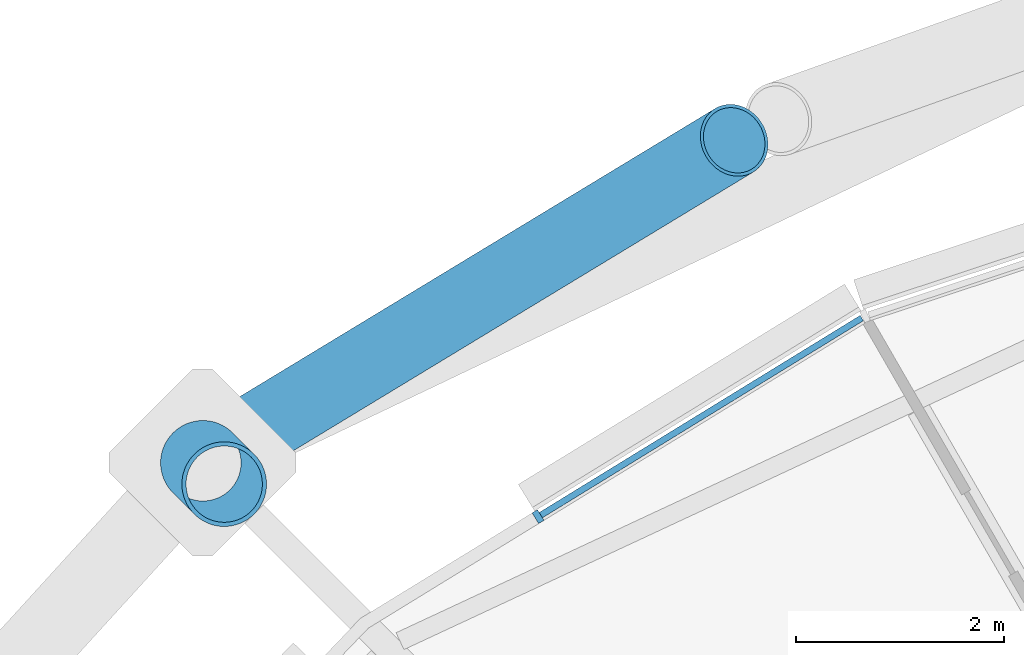
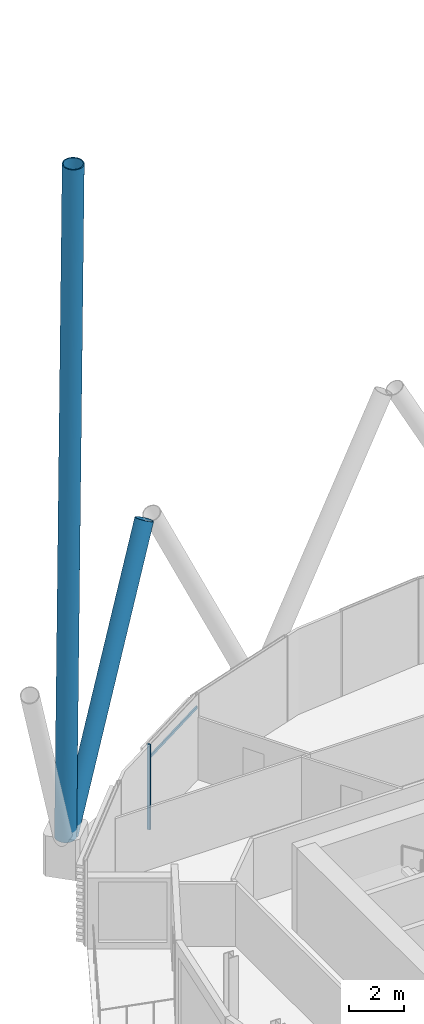
# One storey, part 11 of 39: 4 members, 1 element without a shape of its own.
"""IFC4 building model written with IfcOpenShell, lengths in metres."""

from ifc_helpers import new_model, si_unit, direction, frame, origin, origin_2d, place, context, subcontext, project, spatial, rectangle, hollow_circle, extrude, material, material_profile, profile_set, type_object, element, aggregate, save


model = new_model("IFC4")

# Units and contexts
model_context = context("Model", 3, precision=1e-05, world=origin(), true_north=direction((0.0, 1.0)))
body_context = subcontext(model_context, "Body", "Model", "MODEL_VIEW")
ifc_project = project(units=[si_unit("LENGTHUNIT", "METRE"), si_unit("AREAUNIT", "SQUARE_METRE"), si_unit("VOLUMEUNIT", "CUBIC_METRE"), si_unit("PLANEANGLEUNIT", "RADIAN"), si_unit("MASSUNIT", "GRAM", prefix="KILO")], contexts=[model_context])

# Site, building, storey
site_placement = place(None, origin())
site = spatial("IfcSite", under=ifc_project, at=site_placement, CompositionType="ELEMENT")
building_placement = place(site_placement, origin())
building = spatial("IfcBuilding", under=site, at=building_placement, Name="Rimbun Link Towers", CompositionType="ELEMENT")
storey_placement = place(building_placement, frame((0.0, 0.0, 115.800048828125)))
storey = spatial("IfcBuildingStorey", under=building, at=storey_placement, Name="L28", CompositionType="ELEMENT", Elevation=115.800048828125)

# Curtain wall, members
ifc_material_1 = material(Name="Aluminium 6063-T6 and low-iron glass", Category="aluminium")
curtain_wall_type = type_object("IfcCurtainWallType", Name="CW1-Z2 unitised vision wall (zone 2)", PredefinedType="NOTDEFINED", material=ifc_material_1)
curtain_wall_placement = place(storey_placement, origin())
curtain_wall = element("IfcCurtainWall", 1, at=curtain_wall_placement, inside=storey, type_object=curtain_wall_type, Name="CW1 L28 T1", PredefinedType="NOTDEFINED")
ifc_material_2 = material(Name="Aluminium 6063-T6", Category="aluminium")
ifc_material_profile_1 = material_profile(ifc_material_2, rectangle(XDim=0.1201171875, YDim=0.06005859375, at=origin_2d()), Name="MULLION 60X120")
ifc_profile_set_1 = profile_set([ifc_material_profile_1], Name="Aluminium 6063-T6")
member_type_1 = type_object("IfcMemberType", Name="CW1 mullion 60X120", PredefinedType="MULLION", material=ifc_profile_set_1)
member_1_placement = place(storey_placement, frame((-45.4853515625, 16.43701171875, 0.0), z_axis=(0.0, 0.0, 1.0), x_axis=(-0.523243332621, 0.852183322336, 0.0)))
member_1 = element("IfcMember", 2, at=member_1_placement, type_object=member_type_1, Name="CW1 mullion", PredefinedType="MULLION", context=body_context, shape_type="SweptSolid", body=[
    extrude(rectangle(XDim=0.1201171875, YDim=0.06005859375, at=origin_2d()), origin(), (0.0, 0.0, 1.0), 3.800048828125),
])
ifc_material_3 = material(Name="Aluminium 6063-T6", Category="aluminium")
ifc_material_profile_2 = material_profile(ifc_material_3, rectangle(XDim=0.06005859375, YDim=0.1201171875, at=origin_2d()), Name="TRANSOM 60X120")
ifc_profile_set_2 = profile_set([ifc_material_profile_2], Name="Aluminium 6063-T6")
member_type_2 = type_object("IfcMemberType", Name="CW1 transom 60X120", PredefinedType="USERDEFINED", material=ifc_profile_set_2)
member_2_placement = place(storey_placement, frame((-45.458740234375, 16.450927734375, 3.199951171875), z_axis=(0.85217016947, 0.52326475351, 0.0), x_axis=(-0.52326475351, 0.85217016947, 0.0)))
member_2 = element("IfcMember", 3, at=member_2_placement, type_object=member_type_2, Name="CW1 transom", ObjectType="TRANSOM", PredefinedType="USERDEFINED", context=body_context, shape_type="SweptSolid", body=[
    extrude(rectangle(XDim=0.06005859375, YDim=0.1201171875, at=origin_2d()), origin(), (0.0, 0.0, 1.0), 3.616455078125),
])
aggregate(curtain_wall, [member_1, member_2])

# Members
ifc_material_4 = material(Name="Steel S460NH", Category="steel")
ifc_material_profile_3 = material_profile(ifc_material_4, hollow_circle(Radius=0.355712890625, WallThickness=0.031982421875, at=origin_2d()), Name="Diagrid diagonal CHS 711x32")
ifc_profile_set_3 = profile_set([ifc_material_profile_3], Name="Steel S460NH")
member_type_3 = type_object("IfcMemberType", Name="Diagrid diagonal CHS 711x32", PredefinedType="BRACE", material=ifc_profile_set_3)
member_3_placement = place(storey_placement, frame((-48.502197265625, 17.08056640625, 0.43896484375), z_axis=(0.408995593079, 0.247871177032, 0.878226898038), x_axis=(-0.518294161514, 0.855202410041, 0.0)))
element("IfcMember", 4, at=member_3_placement, inside=storey, type_object=member_type_3, Name="Diagrid diagonal T1 L28-L31 09a", PredefinedType="BRACE", context=body_context, shape_type="SweptSolid", body=[
    extrude(hollow_circle(Radius=0.355712890625, WallThickness=0.031982421875, at=origin_2d()), origin(), (0.0, 0.0, 1.0), 11.98095703125),
])
ifc_material_5 = material(Name="Steel S460NH", Category="steel")
ifc_material_profile_4 = material_profile(ifc_material_5, hollow_circle(Radius=0.406494140625, WallThickness=0.0400390625, at=origin_2d()), Name="Slot edge CHS 813x40")
ifc_profile_set_4 = profile_set([ifc_material_profile_4], Name="Steel S460NH")
member_type_4 = type_object("IfcMemberType", Name="Slot edge CHS 813x40", PredefinedType="BRACE", material=ifc_profile_set_4)
member_4_placement = place(storey_placement, frame((-48.703125, 16.953125, 0.5), z_axis=(0.006819344313, -0.006819344313, 0.999953495462), x_axis=(0.707106781187, 0.707106781187, 0.0)))
element("IfcMember", 5, at=member_4_placement, inside=storey, type_object=member_type_4, Name="Slot edge T1 L28-L35 09", PredefinedType="BRACE", context=body_context, shape_type="SweptSolid", body=[
    extrude(hollow_circle(Radius=0.406494140625, WallThickness=0.0400390625, at=origin_2d()), origin(), (0.0, 0.0, 1.0), 30.00146484375),
])

save(model, "model.ifc")
